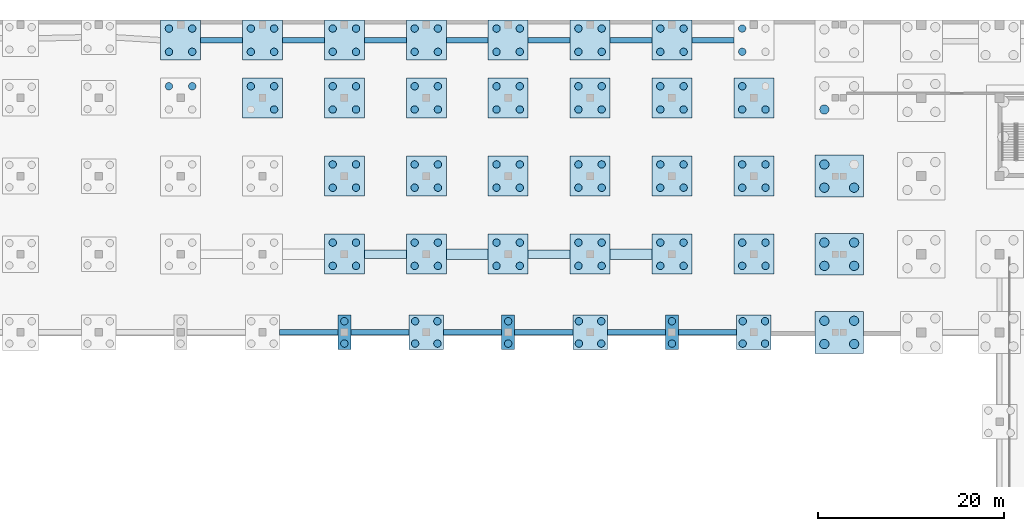
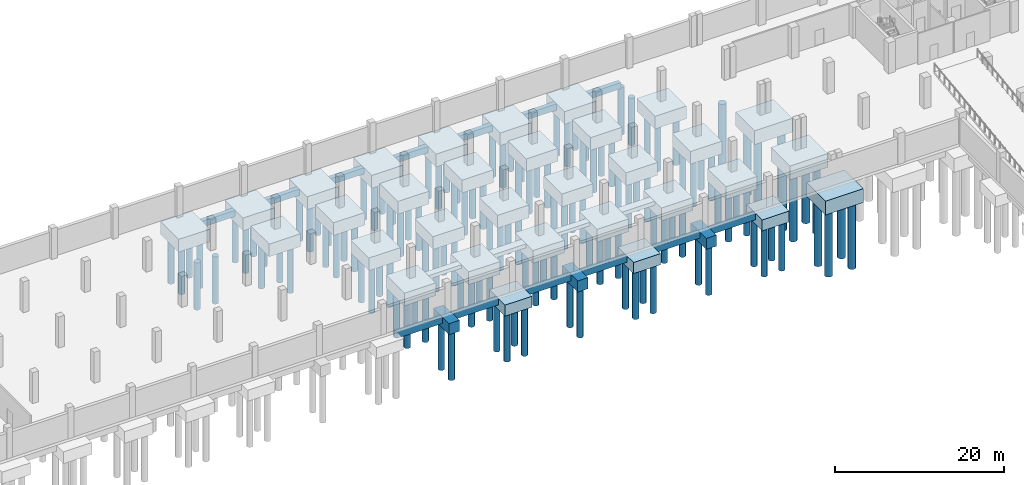
# One storey, part 2 of 18: 136 piles, 52 footings.
"""IFC4 building model written with IfcOpenShell, lengths in metres."""

from ifc_helpers import new_model, si_unit, direction, frame, origin, origin_2d, place, context, subcontext, project, spatial, rectangle, circle, extrude, material, material_profile, profile_set, type_object, element, save


model = new_model("IFC4")

# Units and contexts
model_context = context("Model", 3, precision=1e-05, world=origin(), true_north=direction((0.0, 1.0)))
body_context = subcontext(model_context, "Body", "Model", "MODEL_VIEW")
ifc_project = project(units=[si_unit("LENGTHUNIT", "METRE"), si_unit("AREAUNIT", "SQUARE_METRE"), si_unit("VOLUMEUNIT", "CUBIC_METRE"), si_unit("PLANEANGLEUNIT", "RADIAN"), si_unit("MASSUNIT", "GRAM", prefix="KILO")], contexts=[model_context])

# Site, building, storey
site_placement = place(None, origin())
site = spatial("IfcSite", under=ifc_project, at=site_placement, CompositionType="ELEMENT")
building_placement = place(site_placement, origin())
building = spatial("IfcBuilding", under=site, at=building_placement, Name="Brinegate Botanical Conservatory", CompositionType="ELEMENT")
storey_placement = place(building_placement, frame((0.0, 0.0, -9.60009765625)))
storey = spatial("IfcBuildingStorey", under=building, at=storey_placement, Name="B2", CompositionType="ELEMENT", Elevation=-9.60009765625)

# Footings
ifc_material = material(Name="Concrete C40/50", Category="concrete")
ifc_material_profile_1 = material_profile(ifc_material, rectangle(XDim=0.60009765625, YDim=0.89990234375, at=origin_2d()), Name="RC GB 600x900")
ifc_profile_set_1 = profile_set([ifc_material_profile_1], Name="Concrete C40/50")
footing_type_1 = type_object("IfcFootingType", Name="Footing_FB-01", PredefinedType="FOOTING_BEAM", material=ifc_profile_set_1)
for number, where, z_axis, x_axis, name in (
    (1, (61.449951171875, 78.39990234375, -0.849853515625), (1.0, 0.0, 0.0), (0.0, 1.0, 0.0), "Foundation tie beam K:8-9"),
    (2, (69.10009765625, 78.39990234375, -0.849853515625), (1.0, 0.0, 0.0), (0.0, 1.0, 0.0), "Foundation tie beam K:9-10"),
    (3, (79.050048828125, 78.39990234375, -0.849853515625), (1.0, 0.0, 0.0), (0.0, 1.0, 0.0), "Foundation tie beam K:10-11"),
    (4, (86.699951171875, 78.39990234375, -0.849853515625), (1.0, 0.0, 0.0), (0.0, 1.0, 0.0), "Foundation tie beam K:11-12"),
    (5, (96.64990234375, 78.39990234375, -0.849853515625), (1.0, 0.0, 0.0), (0.0, 1.0, 0.0), "Foundation tie beam K:12-13"),
    (6, (104.300048828125, 78.39990234375, -0.849853515625), (1.0, 0.0, 0.0), (0.0, 1.0, 0.0), "Foundation tie beam K:13-14"),
):
    element("IfcFooting", number, at=place(storey_placement, frame(where, z_axis=z_axis, x_axis=x_axis)), inside=storey, type_object=footing_type_1, Name=name, PredefinedType="FOOTING_BEAM", context=body_context, shape_type="SweptSolid", body=[
        extrude(rectangle(XDim=0.60009765625, YDim=0.89990234375, at=origin_2d()), origin(), (0.0, 0.0, 1.0), 6.25),
    ])
for number, where, z_axis, x_axis, name in (
    (7, (52.949951171875, 109.800048828125, -0.849853515625), (1.0, 0.0, 0.0), (0.0, 1.0, 0.0), "Foundation tie beam P:7-8"),
    (8, (61.75, 109.800048828125, -0.849853515625), (1.0, 0.0, 0.0), (0.0, 1.0, 0.0), "Foundation tie beam P:8-9"),
    (9, (70.550048828125, 109.800048828125, -0.849853515625), (1.0, 0.0, 0.0), (0.0, 1.0, 0.0), "Foundation tie beam P:9-10"),
    (10, (79.35009765625, 109.800048828125, -0.849853515625), (1.0, 0.0, 0.0), (0.0, 1.0, 0.0), "Foundation tie beam P:10-11"),
    (11, (88.14990234375, 109.800048828125, -0.849853515625), (1.0, 0.0, 0.0), (0.0, 1.0, 0.0), "Foundation tie beam P:11-12"),
    (12, (96.949951171875, 109.800048828125, -0.849853515625), (1.0, 0.0, 0.0), (0.0, 1.0, 0.0), "Foundation tie beam P:12-13"),
    (13, (105.75, 109.800048828125, -0.849853515625), (1.0, 0.0, 0.0), (0.0, 1.0, 0.0), "Foundation tie beam P:13-14"),
):
    element("IfcFooting", number, at=place(storey_placement, frame(where, z_axis=z_axis, x_axis=x_axis)), inside=storey, type_object=footing_type_1, Name=name, PredefinedType="FOOTING_BEAM", context=body_context, shape_type="SweptSolid", body=[
        extrude(rectangle(XDim=0.60009765625, YDim=0.89990234375, at=origin_2d()), origin(), (0.0, 0.0, 1.0), 4.5),
    ])
footing_type_2 = type_object("IfcFootingType", Name="Footing_PC-02", PredefinedType="PILE_CAP", material=ifc_material)
for number, where, z_axis, x_axis, name in (
    (14, (68.39990234375, 78.39990234375, -2.0), (0.0, 0.0, 1.0), (1.0, 0.0, 0.0), "Pile cap PC-02 at K-9"),
    (15, (86.0, 78.39990234375, -2.0), (0.0, 0.0, 1.0), (1.0, 0.0, 0.0), "Pile cap PC-02 at K-11"),
    (16, (103.60009765625, 78.39990234375, -2.0), (0.0, 0.0, 1.0), (1.0, 0.0, 0.0), "Pile cap PC-02 at K-13"),
):
    element("IfcFooting", number, at=place(storey_placement, frame(where, z_axis=z_axis, x_axis=x_axis)), inside=storey, type_object=footing_type_2, Name=name, PredefinedType="PILE_CAP", context=body_context, shape_type="SweptSolid", body=[
        extrude(rectangle(XDim=1.39990234375, YDim=3.699951171875, at=origin_2d()), origin(), (0.0, 0.0, 1.0), 1.60009765625),
    ])
footing_type_3 = type_object("IfcFootingType", Name="Footing_PC-03", PredefinedType="PILE_CAP", material=ifc_material)
for number, where, z_axis, x_axis, name in (
    (17, (77.199951171875, 78.39990234375, -2.0), (0.0, 0.0, 1.0), (1.0, 0.0, 0.0), "Pile cap PC-03 at K-10"),
    (18, (94.800048828125, 78.39990234375, -2.0), (0.0, 0.0, 1.0), (1.0, 0.0, 0.0), "Pile cap PC-03 at K-12"),
    (19, (112.39990234375, 78.39990234375, -2.0), (0.0, 0.0, 1.0), (1.0, 0.0, 0.0), "Pile cap PC-03 at K-14"),
):
    element("IfcFooting", number, at=place(storey_placement, frame(where, z_axis=z_axis, x_axis=x_axis)), inside=storey, type_object=footing_type_3, Name=name, PredefinedType="PILE_CAP", context=body_context, shape_type="SweptSolid", body=[
        extrude(rectangle(XDim=3.699951171875, YDim=3.699951171875, at=origin_2d()), origin(), (0.0, 0.0, 1.0), 1.60009765625),
    ])
footing_type_4 = type_object("IfcFootingType", Name="Footing_PC-06", PredefinedType="PILE_CAP", material=ifc_material)
for number, where, z_axis, x_axis, name in (
    (20, (50.800048828125, 109.800048828125, -2.25), (0.0, 0.0, 1.0), (1.0, 0.0, 0.0), "Pile cap PC-06 at P-7"),
    (21, (59.60009765625, 103.60009765625, -2.25), (0.0, 0.0, 1.0), (1.0, 0.0, 0.0), "Pile cap PC-06 at N-8"),
    (22, (59.60009765625, 109.800048828125, -2.25), (0.0, 0.0, 1.0), (1.0, 0.0, 0.0), "Pile cap PC-06 at P-8"),
    (23, (68.39990234375, 86.800048828125, -2.25), (0.0, 0.0, 1.0), (1.0, 0.0, 0.0), "Pile cap PC-06 at L-9"),
    (24, (68.39990234375, 95.199951171875, -2.25), (0.0, 0.0, 1.0), (1.0, 0.0, 0.0), "Pile cap PC-06 at M-9"),
    (25, (68.39990234375, 103.60009765625, -2.25), (0.0, 0.0, 1.0), (1.0, 0.0, 0.0), "Pile cap PC-06 at N-9"),
    (26, (68.39990234375, 109.800048828125, -2.25), (0.0, 0.0, 1.0), (1.0, 0.0, 0.0), "Pile cap PC-06 at P-9"),
    (27, (77.199951171875, 86.800048828125, -2.25), (0.0, 0.0, 1.0), (1.0, 0.0, 0.0), "Pile cap PC-06 at L-10"),
    (28, (77.199951171875, 95.199951171875, -2.25), (0.0, 0.0, 1.0), (1.0, 0.0, 0.0), "Pile cap PC-06 at M-10"),
    (29, (77.199951171875, 103.60009765625, -2.25), (0.0, 0.0, 1.0), (1.0, 0.0, 0.0), "Pile cap PC-06 at N-10"),
    (30, (77.199951171875, 109.800048828125, -2.25), (0.0, 0.0, 1.0), (1.0, 0.0, 0.0), "Pile cap PC-06 at P-10"),
    (31, (86.0, 86.800048828125, -2.25), (0.0, 0.0, 1.0), (1.0, 0.0, 0.0), "Pile cap PC-06 at L-11"),
    (32, (86.0, 95.199951171875, -2.25), (0.0, 0.0, 1.0), (1.0, 0.0, 0.0), "Pile cap PC-06 at M-11"),
    (33, (86.0, 103.60009765625, -2.25), (0.0, 0.0, 1.0), (1.0, 0.0, 0.0), "Pile cap PC-06 at N-11"),
    (34, (86.0, 109.800048828125, -2.25), (0.0, 0.0, 1.0), (1.0, 0.0, 0.0), "Pile cap PC-06 at P-11"),
    (35, (94.800048828125, 86.800048828125, -2.25), (0.0, 0.0, 1.0), (1.0, 0.0, 0.0), "Pile cap PC-06 at L-12"),
    (36, (94.800048828125, 95.199951171875, -2.25), (0.0, 0.0, 1.0), (1.0, 0.0, 0.0), "Pile cap PC-06 at M-12"),
    (37, (94.800048828125, 103.60009765625, -2.25), (0.0, 0.0, 1.0), (1.0, 0.0, 0.0), "Pile cap PC-06 at N-12"),
    (38, (94.800048828125, 109.800048828125, -2.25), (0.0, 0.0, 1.0), (1.0, 0.0, 0.0), "Pile cap PC-06 at P-12"),
    (39, (103.60009765625, 86.800048828125, -2.25), (0.0, 0.0, 1.0), (1.0, 0.0, 0.0), "Pile cap PC-06 at L-13"),
    (40, (103.60009765625, 95.199951171875, -2.25), (0.0, 0.0, 1.0), (1.0, 0.0, 0.0), "Pile cap PC-06 at M-13"),
    (41, (103.60009765625, 103.60009765625, -2.25), (0.0, 0.0, 1.0), (1.0, 0.0, 0.0), "Pile cap PC-06 at N-13"),
    (42, (103.60009765625, 109.800048828125, -2.25), (0.0, 0.0, 1.0), (1.0, 0.0, 0.0), "Pile cap PC-06 at P-13"),
    (43, (112.39990234375, 86.800048828125, -2.25), (0.0, 0.0, 1.0), (1.0, 0.0, 0.0), "Pile cap PC-06 at L-14"),
    (44, (112.39990234375, 95.199951171875, -2.25), (0.0, 0.0, 1.0), (1.0, 0.0, 0.0), "Pile cap PC-06 at M-14"),
    (45, (112.39990234375, 103.60009765625, -2.25), (0.0, 0.0, 1.0), (1.0, 0.0, 0.0), "Pile cap PC-06 at N-14"),
):
    element("IfcFooting", number, at=place(storey_placement, frame(where, z_axis=z_axis, x_axis=x_axis)), inside=storey, type_object=footing_type_4, Name=name, PredefinedType="PILE_CAP", context=body_context, shape_type="SweptSolid", body=[
        extrude(rectangle(XDim=4.300048828125, YDim=4.300048828125, at=origin_2d()), origin(), (0.0, 0.0, 1.0), 1.85009765625),
    ])
footing_type_5 = type_object("IfcFootingType", Name="Footing_PC-JT", PredefinedType="PILE_CAP", material=ifc_material)
for number, where, z_axis, x_axis, name in (
    (46, (121.574951171875, 78.39990234375, -2.39990234375), (0.0, 0.0, 1.0), (1.0, 0.0, 0.0), "Twin-column seismic joint pile cap PC-JT K"),
    (47, (121.574951171875, 86.800048828125, -2.39990234375), (0.0, 0.0, 1.0), (1.0, 0.0, 0.0), "Twin-column seismic joint pile cap PC-JT L"),
    (48, (121.574951171875, 95.199951171875, -2.39990234375), (0.0, 0.0, 1.0), (1.0, 0.0, 0.0), "Twin-column seismic joint pile cap PC-JT M"),
):
    element("IfcFooting", number, at=place(storey_placement, frame(where, z_axis=z_axis, x_axis=x_axis)), inside=storey, type_object=footing_type_5, Name=name, PredefinedType="PILE_CAP", context=body_context, shape_type="SweptSolid", body=[
        extrude(rectangle(XDim=5.199951171875, YDim=4.5, at=origin_2d()), origin(), (0.0, 0.0, 1.0), 2.0),
    ])
ifc_material_profile_2 = material_profile(ifc_material, rectangle(XDim=0.89990234375, YDim=0.5, at=origin_2d()), Name="RC SF 900x500")
ifc_profile_set_2 = profile_set([ifc_material_profile_2], Name="Concrete C40/50")
footing_type_6 = type_object("IfcFootingType", Name="Footing_SF-01", PredefinedType="STRIP_FOOTING", material=ifc_profile_set_2)
for number, where, z_axis, x_axis, name in (
    (49, (70.550048828125, 86.800048828125, -0.64990234375), (1.0, 0.0, 0.0), (0.0, 1.0, 0.0), "Courtyard plinth strip footing 9-10"),
    (50, (88.14990234375, 86.800048828125, -0.64990234375), (1.0, 0.0, 0.0), (0.0, 1.0, 0.0), "Courtyard plinth strip footing 11-12"),
):
    element("IfcFooting", number, at=place(storey_placement, frame(where, z_axis=z_axis, x_axis=x_axis)), inside=storey, type_object=footing_type_6, Name=name, PredefinedType="STRIP_FOOTING", context=body_context, shape_type="SweptSolid", body=[
        extrude(rectangle(XDim=0.89990234375, YDim=0.5, at=origin_2d()), origin(), (0.0, 0.0, 1.0), 4.5),
    ])
ifc_material_profile_3 = material_profile(ifc_material, rectangle(XDim=1.10009765625, YDim=0.550048828125, at=origin_2d()), Name="RC SF 1100x550")
ifc_profile_set_3 = profile_set([ifc_material_profile_3], Name="Concrete C40/50")
footing_type_7 = type_object("IfcFootingType", Name="Footing_SF-02", PredefinedType="STRIP_FOOTING", material=ifc_profile_set_3)
for number, where, z_axis, x_axis, name in (
    (51, (79.35009765625, 86.800048828125, -0.6748046875), (1.0, 0.0, 0.0), (0.0, 1.0, 0.0), "Courtyard plinth strip footing 10-11"),
    (52, (96.949951171875, 86.800048828125, -0.6748046875), (1.0, 0.0, 0.0), (0.0, 1.0, 0.0), "Courtyard plinth strip footing 12-13"),
):
    element("IfcFooting", number, at=place(storey_placement, frame(where, z_axis=z_axis, x_axis=x_axis)), inside=storey, type_object=footing_type_7, Name=name, PredefinedType="STRIP_FOOTING", context=body_context, shape_type="SweptSolid", body=[
        extrude(rectangle(XDim=1.10009765625, YDim=0.550048828125, at=origin_2d()), origin(), (0.0, 0.0, 1.0), 4.5),
    ])

# Piles
ifc_material_profile_4 = material_profile(ifc_material, circle(Radius=0.5, at=origin_2d()), Name="PILE D1000")
ifc_profile_set_4 = profile_set([ifc_material_profile_4], Name="Concrete C40/50")
pile_type_1 = type_object("IfcPileType", Name="Pile_PL-1000", PredefinedType="BORED", material=ifc_profile_set_4)
for number, where, z_axis, x_axis, name in (
    (53, (119.97509765625, 77.14990234375, -2.2998046875), (0.0, 0.0, -1.0), (1.0, 0.0, 0.0), "Seismic joint bored pile K"),
    (54, (119.97509765625, 79.64990234375, -2.2998046875), (0.0, 0.0, -1.0), (1.0, 0.0, 0.0), "Seismic joint bored pile K"),
    (55, (123.175048828125, 77.14990234375, -2.2998046875), (0.0, 0.0, -1.0), (1.0, 0.0, 0.0), "Seismic joint bored pile K"),
    (56, (123.175048828125, 79.64990234375, -2.2998046875), (0.0, 0.0, -1.0), (1.0, 0.0, 0.0), "Seismic joint bored pile K"),
    (57, (119.97509765625, 85.550048828125, -2.2998046875), (0.0, 0.0, -1.0), (1.0, 0.0, 0.0), "Seismic joint bored pile L"),
    (58, (119.97509765625, 88.050048828125, -2.2998046875), (0.0, 0.0, -1.0), (1.0, 0.0, 0.0), "Seismic joint bored pile L"),
    (59, (123.175048828125, 85.550048828125, -2.2998046875), (0.0, 0.0, -1.0), (1.0, 0.0, 0.0), "Seismic joint bored pile L"),
    (60, (123.175048828125, 88.050048828125, -2.2998046875), (0.0, 0.0, -1.0), (1.0, 0.0, 0.0), "Seismic joint bored pile L"),
    (61, (119.97509765625, 93.949951171875, -2.2998046875), (0.0, 0.0, -1.0), (1.0, 0.0, 0.0), "Seismic joint bored pile M"),
    (62, (119.97509765625, 96.449951171875, -2.2998046875), (0.0, 0.0, -1.0), (1.0, 0.0, 0.0), "Seismic joint bored pile M"),
    (63, (123.175048828125, 93.949951171875, -2.2998046875), (0.0, 0.0, -1.0), (1.0, 0.0, 0.0), "Seismic joint bored pile M"),
    (64, (119.97509765625, 102.35009765625, -2.2998046875), (0.0, 0.0, -1.0), (1.0, 0.0, 0.0), "Seismic joint bored pile N"),
):
    element("IfcPile", number, at=place(storey_placement, frame(where, z_axis=z_axis, x_axis=x_axis)), inside=storey, type_object=pile_type_1, Name=name, PredefinedType="BORED", context=body_context, shape_type="SweptSolid", body=[
        extrude(circle(Radius=0.5, at=origin_2d()), origin(), (0.0, 0.0, 1.0), 9.699951171875),
    ])
ifc_material_profile_5 = material_profile(ifc_material, circle(Radius=0.39990234375, at=origin_2d()), Name="PILE D800")
ifc_profile_set_5 = profile_set([ifc_material_profile_5], Name="Concrete C40/50")
pile_type_2 = type_object("IfcPileType", Name="Pile_PL-800", PredefinedType="BORED", material=ifc_profile_set_5)
for number, where, z_axis, x_axis, name in (
    (65, (49.550048828125, 104.85009765625, -2.14990234375), (0.0, 0.0, -1.0), (1.0, 0.0, 0.0), "Bored pile N-7.3"),
    (66, (52.050048828125, 104.85009765625, -2.14990234375), (0.0, 0.0, -1.0), (1.0, 0.0, 0.0), "Bored pile N-7.4"),
    (67, (49.550048828125, 108.550048828125, -2.14990234375), (0.0, 0.0, -1.0), (1.0, 0.0, 0.0), "Bored pile P-7.1"),
    (68, (52.050048828125, 108.550048828125, -2.14990234375), (0.0, 0.0, -1.0), (1.0, 0.0, 0.0), "Bored pile P-7.2"),
    (69, (49.550048828125, 111.050048828125, -2.14990234375), (0.0, 0.0, -1.0), (1.0, 0.0, 0.0), "Bored pile P-7.3"),
    (70, (52.050048828125, 111.050048828125, -2.14990234375), (0.0, 0.0, -1.0), (1.0, 0.0, 0.0), "Bored pile P-7.4"),
    (71, (60.85009765625, 102.35009765625, -2.14990234375), (0.0, 0.0, -1.0), (1.0, 0.0, 0.0), "Bored pile N-8.2"),
    (72, (58.35009765625, 104.85009765625, -2.14990234375), (0.0, 0.0, -1.0), (1.0, 0.0, 0.0), "Bored pile N-8.3"),
    (73, (60.85009765625, 104.85009765625, -2.14990234375), (0.0, 0.0, -1.0), (1.0, 0.0, 0.0), "Bored pile N-8.4"),
    (74, (58.35009765625, 108.550048828125, -2.14990234375), (0.0, 0.0, -1.0), (1.0, 0.0, 0.0), "Bored pile P-8.1"),
    (75, (60.85009765625, 108.550048828125, -2.14990234375), (0.0, 0.0, -1.0), (1.0, 0.0, 0.0), "Bored pile P-8.2"),
    (76, (58.35009765625, 111.050048828125, -2.14990234375), (0.0, 0.0, -1.0), (1.0, 0.0, 0.0), "Bored pile P-8.3"),
    (77, (60.85009765625, 111.050048828125, -2.14990234375), (0.0, 0.0, -1.0), (1.0, 0.0, 0.0), "Bored pile P-8.4"),
):
    element("IfcPile", number, at=place(storey_placement, frame(where, z_axis=z_axis, x_axis=x_axis)), inside=storey, type_object=pile_type_2, Name=name, PredefinedType="BORED", context=body_context, shape_type="SweptSolid", body=[
        extrude(circle(Radius=0.39990234375, at=origin_2d()), origin(), (0.0, 0.0, 1.0), 6.85009765625),
    ])
for number, where, z_axis, x_axis, name in (
    (78, (68.39990234375, 77.199951171875, -1.89990234375), (0.0, 0.0, -1.0), (1.0, 0.0, 0.0), "Bored pile K-9.1"),
    (79, (68.39990234375, 79.60009765625, -1.89990234375), (0.0, 0.0, -1.0), (1.0, 0.0, 0.0), "Bored pile K-9.2"),
):
    element("IfcPile", number, at=place(storey_placement, frame(where, z_axis=z_axis, x_axis=x_axis)), inside=storey, type_object=pile_type_2, Name=name, PredefinedType="BORED", context=body_context, shape_type="SweptSolid", body=[
        extrude(circle(Radius=0.39990234375, at=origin_2d()), origin(), (0.0, 0.0, 1.0), 7.10009765625),
    ])
for number, where, z_axis, x_axis, name in (
    (80, (67.14990234375, 85.550048828125, -2.14990234375), (0.0, 0.0, -1.0), (1.0, 0.0, 0.0), "Bored pile L-9.1"),
    (81, (69.64990234375, 85.550048828125, -2.14990234375), (0.0, 0.0, -1.0), (1.0, 0.0, 0.0), "Bored pile L-9.2"),
    (82, (67.14990234375, 88.050048828125, -2.14990234375), (0.0, 0.0, -1.0), (1.0, 0.0, 0.0), "Bored pile L-9.3"),
    (83, (69.64990234375, 88.050048828125, -2.14990234375), (0.0, 0.0, -1.0), (1.0, 0.0, 0.0), "Bored pile L-9.4"),
    (84, (67.14990234375, 93.949951171875, -2.14990234375), (0.0, 0.0, -1.0), (1.0, 0.0, 0.0), "Bored pile M-9.1"),
    (85, (69.64990234375, 93.949951171875, -2.14990234375), (0.0, 0.0, -1.0), (1.0, 0.0, 0.0), "Bored pile M-9.2"),
    (86, (67.14990234375, 96.449951171875, -2.14990234375), (0.0, 0.0, -1.0), (1.0, 0.0, 0.0), "Bored pile M-9.3"),
    (87, (69.64990234375, 96.449951171875, -2.14990234375), (0.0, 0.0, -1.0), (1.0, 0.0, 0.0), "Bored pile M-9.4"),
    (88, (67.14990234375, 102.35009765625, -2.14990234375), (0.0, 0.0, -1.0), (1.0, 0.0, 0.0), "Bored pile N-9.1"),
    (89, (69.64990234375, 102.35009765625, -2.14990234375), (0.0, 0.0, -1.0), (1.0, 0.0, 0.0), "Bored pile N-9.2"),
    (90, (67.14990234375, 104.85009765625, -2.14990234375), (0.0, 0.0, -1.0), (1.0, 0.0, 0.0), "Bored pile N-9.3"),
    (91, (69.64990234375, 104.85009765625, -2.14990234375), (0.0, 0.0, -1.0), (1.0, 0.0, 0.0), "Bored pile N-9.4"),
    (92, (67.14990234375, 108.550048828125, -2.14990234375), (0.0, 0.0, -1.0), (1.0, 0.0, 0.0), "Bored pile P-9.1"),
    (93, (69.64990234375, 108.550048828125, -2.14990234375), (0.0, 0.0, -1.0), (1.0, 0.0, 0.0), "Bored pile P-9.2"),
    (94, (67.14990234375, 111.050048828125, -2.14990234375), (0.0, 0.0, -1.0), (1.0, 0.0, 0.0), "Bored pile P-9.3"),
    (95, (69.64990234375, 111.050048828125, -2.14990234375), (0.0, 0.0, -1.0), (1.0, 0.0, 0.0), "Bored pile P-9.4"),
):
    element("IfcPile", number, at=place(storey_placement, frame(where, z_axis=z_axis, x_axis=x_axis)), inside=storey, type_object=pile_type_2, Name=name, PredefinedType="BORED", context=body_context, shape_type="SweptSolid", body=[
        extrude(circle(Radius=0.39990234375, at=origin_2d()), origin(), (0.0, 0.0, 1.0), 6.85009765625),
    ])
for number, where, z_axis, x_axis, name in (
    (96, (76.0, 77.199951171875, -1.89990234375), (0.0, 0.0, -1.0), (1.0, 0.0, 0.0), "Bored pile K-10.1"),
    (97, (78.39990234375, 77.199951171875, -1.89990234375), (0.0, 0.0, -1.0), (1.0, 0.0, 0.0), "Bored pile K-10.2"),
    (98, (76.0, 79.60009765625, -1.89990234375), (0.0, 0.0, -1.0), (1.0, 0.0, 0.0), "Bored pile K-10.3"),
    (99, (78.39990234375, 79.60009765625, -1.89990234375), (0.0, 0.0, -1.0), (1.0, 0.0, 0.0), "Bored pile K-10.4"),
):
    element("IfcPile", number, at=place(storey_placement, frame(where, z_axis=z_axis, x_axis=x_axis)), inside=storey, type_object=pile_type_2, Name=name, PredefinedType="BORED", context=body_context, shape_type="SweptSolid", body=[
        extrude(circle(Radius=0.39990234375, at=origin_2d()), origin(), (0.0, 0.0, 1.0), 7.10009765625),
    ])
for number, where, z_axis, x_axis, name in (
    (100, (75.949951171875, 85.550048828125, -2.14990234375), (0.0, 0.0, -1.0), (1.0, 0.0, 0.0), "Bored pile L-10.1"),
    (101, (78.449951171875, 85.550048828125, -2.14990234375), (0.0, 0.0, -1.0), (1.0, 0.0, 0.0), "Bored pile L-10.2"),
    (102, (75.949951171875, 88.050048828125, -2.14990234375), (0.0, 0.0, -1.0), (1.0, 0.0, 0.0), "Bored pile L-10.3"),
    (103, (78.449951171875, 88.050048828125, -2.14990234375), (0.0, 0.0, -1.0), (1.0, 0.0, 0.0), "Bored pile L-10.4"),
    (104, (75.949951171875, 93.949951171875, -2.14990234375), (0.0, 0.0, -1.0), (1.0, 0.0, 0.0), "Bored pile M-10.1"),
    (105, (78.449951171875, 93.949951171875, -2.14990234375), (0.0, 0.0, -1.0), (1.0, 0.0, 0.0), "Bored pile M-10.2"),
    (106, (75.949951171875, 96.449951171875, -2.14990234375), (0.0, 0.0, -1.0), (1.0, 0.0, 0.0), "Bored pile M-10.3"),
    (107, (78.449951171875, 96.449951171875, -2.14990234375), (0.0, 0.0, -1.0), (1.0, 0.0, 0.0), "Bored pile M-10.4"),
    (108, (75.949951171875, 102.35009765625, -2.14990234375), (0.0, 0.0, -1.0), (1.0, 0.0, 0.0), "Bored pile N-10.1"),
    (109, (78.449951171875, 102.35009765625, -2.14990234375), (0.0, 0.0, -1.0), (1.0, 0.0, 0.0), "Bored pile N-10.2"),
    (110, (75.949951171875, 104.85009765625, -2.14990234375), (0.0, 0.0, -1.0), (1.0, 0.0, 0.0), "Bored pile N-10.3"),
    (111, (78.449951171875, 104.85009765625, -2.14990234375), (0.0, 0.0, -1.0), (1.0, 0.0, 0.0), "Bored pile N-10.4"),
    (112, (75.949951171875, 108.550048828125, -2.14990234375), (0.0, 0.0, -1.0), (1.0, 0.0, 0.0), "Bored pile P-10.1"),
    (113, (78.449951171875, 108.550048828125, -2.14990234375), (0.0, 0.0, -1.0), (1.0, 0.0, 0.0), "Bored pile P-10.2"),
    (114, (75.949951171875, 111.050048828125, -2.14990234375), (0.0, 0.0, -1.0), (1.0, 0.0, 0.0), "Bored pile P-10.3"),
    (115, (78.449951171875, 111.050048828125, -2.14990234375), (0.0, 0.0, -1.0), (1.0, 0.0, 0.0), "Bored pile P-10.4"),
):
    element("IfcPile", number, at=place(storey_placement, frame(where, z_axis=z_axis, x_axis=x_axis)), inside=storey, type_object=pile_type_2, Name=name, PredefinedType="BORED", context=body_context, shape_type="SweptSolid", body=[
        extrude(circle(Radius=0.39990234375, at=origin_2d()), origin(), (0.0, 0.0, 1.0), 6.85009765625),
    ])
for number, where, z_axis, x_axis, name in (
    (116, (86.0, 77.199951171875, -1.89990234375), (0.0, 0.0, -1.0), (1.0, 0.0, 0.0), "Bored pile K-11.1"),
    (117, (86.0, 79.60009765625, -1.89990234375), (0.0, 0.0, -1.0), (1.0, 0.0, 0.0), "Bored pile K-11.2"),
):
    element("IfcPile", number, at=place(storey_placement, frame(where, z_axis=z_axis, x_axis=x_axis)), inside=storey, type_object=pile_type_2, Name=name, PredefinedType="BORED", context=body_context, shape_type="SweptSolid", body=[
        extrude(circle(Radius=0.39990234375, at=origin_2d()), origin(), (0.0, 0.0, 1.0), 7.10009765625),
    ])
for number, where, z_axis, x_axis, name in (
    (118, (84.75, 85.550048828125, -2.14990234375), (0.0, 0.0, -1.0), (1.0, 0.0, 0.0), "Bored pile L-11.1"),
    (119, (87.25, 85.550048828125, -2.14990234375), (0.0, 0.0, -1.0), (1.0, 0.0, 0.0), "Bored pile L-11.2"),
    (120, (84.75, 88.050048828125, -2.14990234375), (0.0, 0.0, -1.0), (1.0, 0.0, 0.0), "Bored pile L-11.3"),
    (121, (87.25, 88.050048828125, -2.14990234375), (0.0, 0.0, -1.0), (1.0, 0.0, 0.0), "Bored pile L-11.4"),
    (122, (84.75, 93.949951171875, -2.14990234375), (0.0, 0.0, -1.0), (1.0, 0.0, 0.0), "Bored pile M-11.1"),
    (123, (87.25, 93.949951171875, -2.14990234375), (0.0, 0.0, -1.0), (1.0, 0.0, 0.0), "Bored pile M-11.2"),
    (124, (84.75, 96.449951171875, -2.14990234375), (0.0, 0.0, -1.0), (1.0, 0.0, 0.0), "Bored pile M-11.3"),
    (125, (87.25, 96.449951171875, -2.14990234375), (0.0, 0.0, -1.0), (1.0, 0.0, 0.0), "Bored pile M-11.4"),
    (126, (84.75, 102.35009765625, -2.14990234375), (0.0, 0.0, -1.0), (1.0, 0.0, 0.0), "Bored pile N-11.1"),
    (127, (87.25, 102.35009765625, -2.14990234375), (0.0, 0.0, -1.0), (1.0, 0.0, 0.0), "Bored pile N-11.2"),
    (128, (84.75, 104.85009765625, -2.14990234375), (0.0, 0.0, -1.0), (1.0, 0.0, 0.0), "Bored pile N-11.3"),
    (129, (87.25, 104.85009765625, -2.14990234375), (0.0, 0.0, -1.0), (1.0, 0.0, 0.0), "Bored pile N-11.4"),
    (130, (84.75, 108.550048828125, -2.14990234375), (0.0, 0.0, -1.0), (1.0, 0.0, 0.0), "Bored pile P-11.1"),
    (131, (87.25, 108.550048828125, -2.14990234375), (0.0, 0.0, -1.0), (1.0, 0.0, 0.0), "Bored pile P-11.2"),
    (132, (84.75, 111.050048828125, -2.14990234375), (0.0, 0.0, -1.0), (1.0, 0.0, 0.0), "Bored pile P-11.3"),
    (133, (87.25, 111.050048828125, -2.14990234375), (0.0, 0.0, -1.0), (1.0, 0.0, 0.0), "Bored pile P-11.4"),
):
    element("IfcPile", number, at=place(storey_placement, frame(where, z_axis=z_axis, x_axis=x_axis)), inside=storey, type_object=pile_type_2, Name=name, PredefinedType="BORED", context=body_context, shape_type="SweptSolid", body=[
        extrude(circle(Radius=0.39990234375, at=origin_2d()), origin(), (0.0, 0.0, 1.0), 6.85009765625),
    ])
for number, where, z_axis, x_axis, name in (
    (134, (93.60009765625, 77.199951171875, -1.89990234375), (0.0, 0.0, -1.0), (1.0, 0.0, 0.0), "Bored pile K-12.1"),
    (135, (96.0, 77.199951171875, -1.89990234375), (0.0, 0.0, -1.0), (1.0, 0.0, 0.0), "Bored pile K-12.2"),
    (136, (93.60009765625, 79.60009765625, -1.89990234375), (0.0, 0.0, -1.0), (1.0, 0.0, 0.0), "Bored pile K-12.3"),
    (137, (96.0, 79.60009765625, -1.89990234375), (0.0, 0.0, -1.0), (1.0, 0.0, 0.0), "Bored pile K-12.4"),
):
    element("IfcPile", number, at=place(storey_placement, frame(where, z_axis=z_axis, x_axis=x_axis)), inside=storey, type_object=pile_type_2, Name=name, PredefinedType="BORED", context=body_context, shape_type="SweptSolid", body=[
        extrude(circle(Radius=0.39990234375, at=origin_2d()), origin(), (0.0, 0.0, 1.0), 7.10009765625),
    ])
for number, where, z_axis, x_axis, name in (
    (138, (93.550048828125, 85.550048828125, -2.14990234375), (0.0, 0.0, -1.0), (1.0, 0.0, 0.0), "Bored pile L-12.1"),
    (139, (96.050048828125, 85.550048828125, -2.14990234375), (0.0, 0.0, -1.0), (1.0, 0.0, 0.0), "Bored pile L-12.2"),
    (140, (93.550048828125, 88.050048828125, -2.14990234375), (0.0, 0.0, -1.0), (1.0, 0.0, 0.0), "Bored pile L-12.3"),
    (141, (96.050048828125, 88.050048828125, -2.14990234375), (0.0, 0.0, -1.0), (1.0, 0.0, 0.0), "Bored pile L-12.4"),
    (142, (93.550048828125, 93.949951171875, -2.14990234375), (0.0, 0.0, -1.0), (1.0, 0.0, 0.0), "Bored pile M-12.1"),
    (143, (96.050048828125, 93.949951171875, -2.14990234375), (0.0, 0.0, -1.0), (1.0, 0.0, 0.0), "Bored pile M-12.2"),
    (144, (93.550048828125, 96.449951171875, -2.14990234375), (0.0, 0.0, -1.0), (1.0, 0.0, 0.0), "Bored pile M-12.3"),
    (145, (96.050048828125, 96.449951171875, -2.14990234375), (0.0, 0.0, -1.0), (1.0, 0.0, 0.0), "Bored pile M-12.4"),
    (146, (93.550048828125, 102.35009765625, -2.14990234375), (0.0, 0.0, -1.0), (1.0, 0.0, 0.0), "Bored pile N-12.1"),
    (147, (96.050048828125, 102.35009765625, -2.14990234375), (0.0, 0.0, -1.0), (1.0, 0.0, 0.0), "Bored pile N-12.2"),
    (148, (93.550048828125, 104.85009765625, -2.14990234375), (0.0, 0.0, -1.0), (1.0, 0.0, 0.0), "Bored pile N-12.3"),
    (149, (96.050048828125, 104.85009765625, -2.14990234375), (0.0, 0.0, -1.0), (1.0, 0.0, 0.0), "Bored pile N-12.4"),
    (150, (93.550048828125, 108.550048828125, -2.14990234375), (0.0, 0.0, -1.0), (1.0, 0.0, 0.0), "Bored pile P-12.1"),
    (151, (96.050048828125, 108.550048828125, -2.14990234375), (0.0, 0.0, -1.0), (1.0, 0.0, 0.0), "Bored pile P-12.2"),
    (152, (93.550048828125, 111.050048828125, -2.14990234375), (0.0, 0.0, -1.0), (1.0, 0.0, 0.0), "Bored pile P-12.3"),
    (153, (96.050048828125, 111.050048828125, -2.14990234375), (0.0, 0.0, -1.0), (1.0, 0.0, 0.0), "Bored pile P-12.4"),
):
    element("IfcPile", number, at=place(storey_placement, frame(where, z_axis=z_axis, x_axis=x_axis)), inside=storey, type_object=pile_type_2, Name=name, PredefinedType="BORED", context=body_context, shape_type="SweptSolid", body=[
        extrude(circle(Radius=0.39990234375, at=origin_2d()), origin(), (0.0, 0.0, 1.0), 6.85009765625),
    ])
for number, where, z_axis, x_axis, name in (
    (154, (103.60009765625, 77.199951171875, -1.89990234375), (0.0, 0.0, -1.0), (1.0, 0.0, 0.0), "Bored pile K-13.1"),
    (155, (103.60009765625, 79.60009765625, -1.89990234375), (0.0, 0.0, -1.0), (1.0, 0.0, 0.0), "Bored pile K-13.2"),
):
    element("IfcPile", number, at=place(storey_placement, frame(where, z_axis=z_axis, x_axis=x_axis)), inside=storey, type_object=pile_type_2, Name=name, PredefinedType="BORED", context=body_context, shape_type="SweptSolid", body=[
        extrude(circle(Radius=0.39990234375, at=origin_2d()), origin(), (0.0, 0.0, 1.0), 7.10009765625),
    ])
for number, where, z_axis, x_axis, name in (
    (156, (102.35009765625, 85.550048828125, -2.14990234375), (0.0, 0.0, -1.0), (1.0, 0.0, 0.0), "Bored pile L-13.1"),
    (157, (104.85009765625, 85.550048828125, -2.14990234375), (0.0, 0.0, -1.0), (1.0, 0.0, 0.0), "Bored pile L-13.2"),
    (158, (102.35009765625, 88.050048828125, -2.14990234375), (0.0, 0.0, -1.0), (1.0, 0.0, 0.0), "Bored pile L-13.3"),
    (159, (104.85009765625, 88.050048828125, -2.14990234375), (0.0, 0.0, -1.0), (1.0, 0.0, 0.0), "Bored pile L-13.4"),
    (160, (102.35009765625, 93.949951171875, -2.14990234375), (0.0, 0.0, -1.0), (1.0, 0.0, 0.0), "Bored pile M-13.1"),
    (161, (104.85009765625, 93.949951171875, -2.14990234375), (0.0, 0.0, -1.0), (1.0, 0.0, 0.0), "Bored pile M-13.2"),
    (162, (102.35009765625, 96.449951171875, -2.14990234375), (0.0, 0.0, -1.0), (1.0, 0.0, 0.0), "Bored pile M-13.3"),
    (163, (104.85009765625, 96.449951171875, -2.14990234375), (0.0, 0.0, -1.0), (1.0, 0.0, 0.0), "Bored pile M-13.4"),
    (164, (102.35009765625, 102.35009765625, -2.14990234375), (0.0, 0.0, -1.0), (1.0, 0.0, 0.0), "Bored pile N-13.1"),
    (165, (104.85009765625, 102.35009765625, -2.14990234375), (0.0, 0.0, -1.0), (1.0, 0.0, 0.0), "Bored pile N-13.2"),
    (166, (102.35009765625, 104.85009765625, -2.14990234375), (0.0, 0.0, -1.0), (1.0, 0.0, 0.0), "Bored pile N-13.3"),
    (167, (104.85009765625, 104.85009765625, -2.14990234375), (0.0, 0.0, -1.0), (1.0, 0.0, 0.0), "Bored pile N-13.4"),
    (168, (102.35009765625, 108.550048828125, -2.14990234375), (0.0, 0.0, -1.0), (1.0, 0.0, 0.0), "Bored pile P-13.1"),
    (169, (104.85009765625, 108.550048828125, -2.14990234375), (0.0, 0.0, -1.0), (1.0, 0.0, 0.0), "Bored pile P-13.2"),
    (170, (102.35009765625, 111.050048828125, -2.14990234375), (0.0, 0.0, -1.0), (1.0, 0.0, 0.0), "Bored pile P-13.3"),
    (171, (104.85009765625, 111.050048828125, -2.14990234375), (0.0, 0.0, -1.0), (1.0, 0.0, 0.0), "Bored pile P-13.4"),
):
    element("IfcPile", number, at=place(storey_placement, frame(where, z_axis=z_axis, x_axis=x_axis)), inside=storey, type_object=pile_type_2, Name=name, PredefinedType="BORED", context=body_context, shape_type="SweptSolid", body=[
        extrude(circle(Radius=0.39990234375, at=origin_2d()), origin(), (0.0, 0.0, 1.0), 6.85009765625),
    ])
for number, where, z_axis, x_axis, name in (
    (172, (111.199951171875, 77.199951171875, -1.89990234375), (0.0, 0.0, -1.0), (1.0, 0.0, 0.0), "Bored pile K-14.1"),
    (173, (113.60009765625, 77.199951171875, -1.89990234375), (0.0, 0.0, -1.0), (1.0, 0.0, 0.0), "Bored pile K-14.2"),
    (174, (111.199951171875, 79.60009765625, -1.89990234375), (0.0, 0.0, -1.0), (1.0, 0.0, 0.0), "Bored pile K-14.3"),
    (175, (113.60009765625, 79.60009765625, -1.89990234375), (0.0, 0.0, -1.0), (1.0, 0.0, 0.0), "Bored pile K-14.4"),
):
    element("IfcPile", number, at=place(storey_placement, frame(where, z_axis=z_axis, x_axis=x_axis)), inside=storey, type_object=pile_type_2, Name=name, PredefinedType="BORED", context=body_context, shape_type="SweptSolid", body=[
        extrude(circle(Radius=0.39990234375, at=origin_2d()), origin(), (0.0, 0.0, 1.0), 7.10009765625),
    ])
for number, where, z_axis, x_axis, name in (
    (176, (111.14990234375, 85.550048828125, -2.14990234375), (0.0, 0.0, -1.0), (1.0, 0.0, 0.0), "Bored pile L-14.1"),
    (177, (113.64990234375, 85.550048828125, -2.14990234375), (0.0, 0.0, -1.0), (1.0, 0.0, 0.0), "Bored pile L-14.2"),
    (178, (111.14990234375, 88.050048828125, -2.14990234375), (0.0, 0.0, -1.0), (1.0, 0.0, 0.0), "Bored pile L-14.3"),
    (179, (113.64990234375, 88.050048828125, -2.14990234375), (0.0, 0.0, -1.0), (1.0, 0.0, 0.0), "Bored pile L-14.4"),
    (180, (111.14990234375, 93.949951171875, -2.14990234375), (0.0, 0.0, -1.0), (1.0, 0.0, 0.0), "Bored pile M-14.1"),
    (181, (113.64990234375, 93.949951171875, -2.14990234375), (0.0, 0.0, -1.0), (1.0, 0.0, 0.0), "Bored pile M-14.2"),
    (182, (111.14990234375, 96.449951171875, -2.14990234375), (0.0, 0.0, -1.0), (1.0, 0.0, 0.0), "Bored pile M-14.3"),
    (183, (113.64990234375, 96.449951171875, -2.14990234375), (0.0, 0.0, -1.0), (1.0, 0.0, 0.0), "Bored pile M-14.4"),
    (184, (111.14990234375, 102.35009765625, -2.14990234375), (0.0, 0.0, -1.0), (1.0, 0.0, 0.0), "Bored pile N-14.1"),
    (185, (113.64990234375, 102.35009765625, -2.14990234375), (0.0, 0.0, -1.0), (1.0, 0.0, 0.0), "Bored pile N-14.2"),
    (186, (111.14990234375, 104.85009765625, -2.14990234375), (0.0, 0.0, -1.0), (1.0, 0.0, 0.0), "Bored pile N-14.3"),
    (187, (111.14990234375, 108.550048828125, -2.14990234375), (0.0, 0.0, -1.0), (1.0, 0.0, 0.0), "Bored pile P-14.1"),
    (188, (111.14990234375, 111.050048828125, -2.14990234375), (0.0, 0.0, -1.0), (1.0, 0.0, 0.0), "Bored pile P-14.3"),
):
    element("IfcPile", number, at=place(storey_placement, frame(where, z_axis=z_axis, x_axis=x_axis)), inside=storey, type_object=pile_type_2, Name=name, PredefinedType="BORED", context=body_context, shape_type="SweptSolid", body=[
        extrude(circle(Radius=0.39990234375, at=origin_2d()), origin(), (0.0, 0.0, 1.0), 6.85009765625),
    ])

save(model, "model.ifc")
